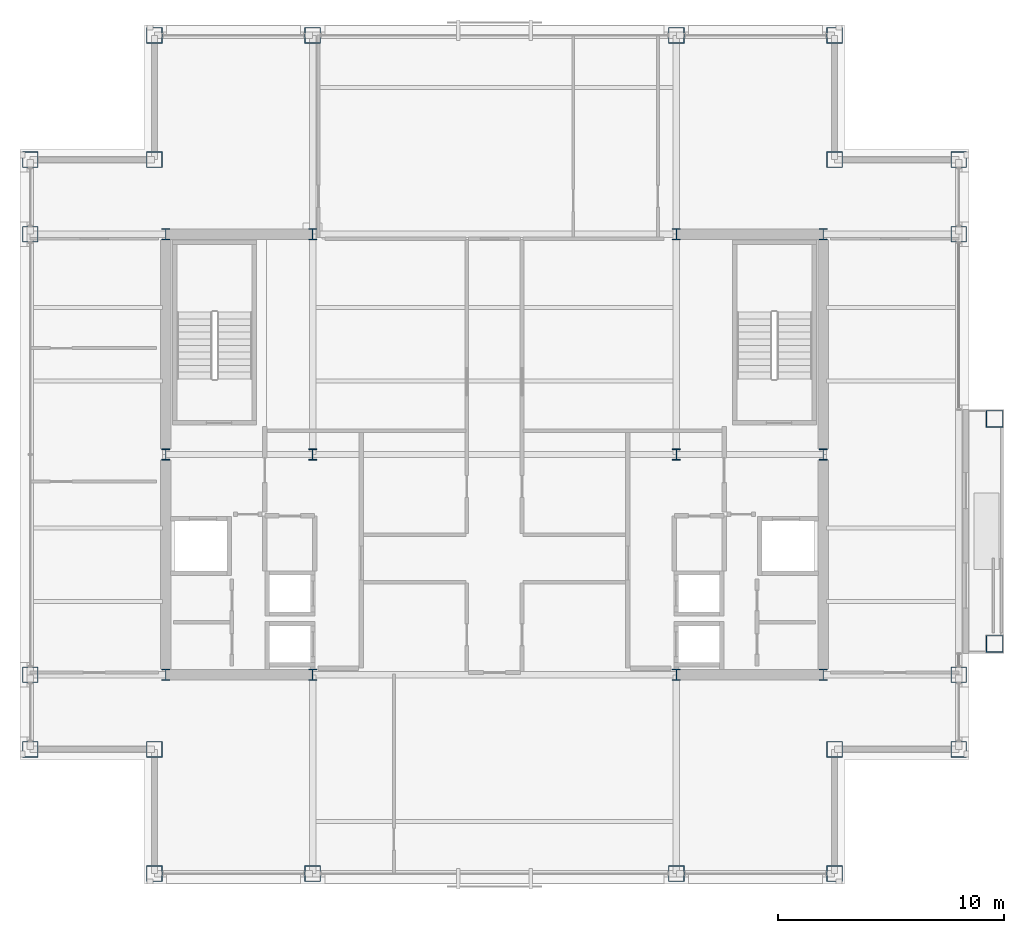
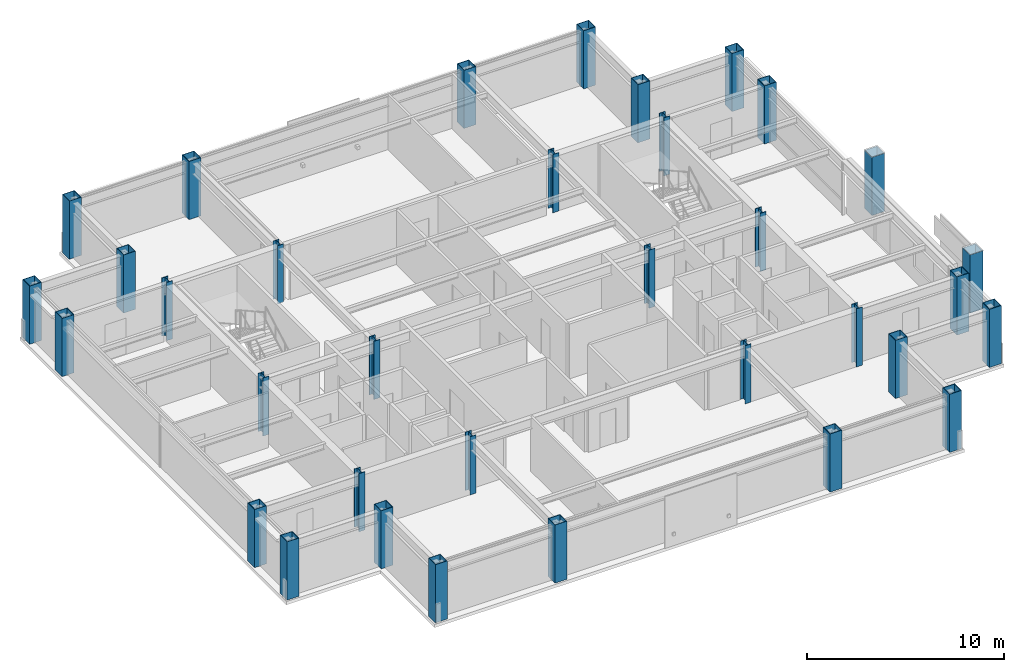
# One storey, part 1 of 30: 34 columns.
"""IFC4 building model written with IfcOpenShell, lengths in metres."""

from ifc_helpers import new_model, si_unit, direction, frame, origin, origin_2d, place, context, subcontext, project, spatial, hollow_rectangle, i_section, extrude, material, material_profile, profile_set, type_object, element, save


model = new_model("IFC4")

# Units and contexts
model_context = context("Model", 3, precision=1e-05, world=origin(), true_north=direction((0.0, 1.0)))
body_context = subcontext(model_context, "Body", "Model", "MODEL_VIEW")
ifc_project = project(units=[si_unit("LENGTHUNIT", "METRE"), si_unit("AREAUNIT", "SQUARE_METRE"), si_unit("VOLUMEUNIT", "CUBIC_METRE"), si_unit("PLANEANGLEUNIT", "RADIAN"), si_unit("MASSUNIT", "GRAM", prefix="KILO")], contexts=[model_context])

# Site, building, storey
site_placement = place(None, origin())
site = spatial("IfcSite", under=ifc_project, at=site_placement, CompositionType="ELEMENT")
building_placement = place(site_placement, origin())
building = spatial("IfcBuilding", under=site, at=building_placement, Name="Brelmoor Portico Tower", CompositionType="ELEMENT")
storey_placement = place(building_placement, frame((0.0, 0.0, 187.5)))
storey = spatial("IfcBuildingStorey", under=building, at=storey_placement, Name="L49", CompositionType="ELEMENT", Elevation=187.5)

# Columns
ifc_material = material(Name="Steel Q355B", Category="steel")
ifc_material_profile_1 = material_profile(ifc_material, hollow_rectangle(XDim=0.699951171875, YDim=0.699951171875, WallThickness=0.030029296875, at=origin_2d()), Name="BOX 700x700x30")
ifc_profile_set_1 = profile_set([ifc_material_profile_1], Name="Steel Q355B")
column_type_1 = type_object("IfcColumnType", Name="COL-MEGA-700", PredefinedType="COLUMN", material=ifc_profile_set_1)
for number, where, z_axis, x_axis, name in (
    (1, (-15.050048828125, -18.550048828125, 0.0), (0.0, 0.0, 1.0), (1.0, 0.0, 0.0), "L49 Perimeter Mega-Column PS01"),
    (2, (-8.050048828125, -18.550048828125, 0.0), (0.0, 0.0, 1.0), (1.0, 0.0, 0.0), "L49 Perimeter Mega-Column PS02"),
    (3, (8.050048828125, -18.550048828125, 0.0), (0.0, 0.0, 1.0), (1.0, 0.0, 0.0), "L49 Perimeter Mega-Column PS03"),
    (4, (15.050048828125, -18.550048828125, 0.0), (0.0, 0.0, 1.0), (1.0, 0.0, 0.0), "L49 Perimeter Mega-Column PS04"),
    (5, (-15.050048828125, 18.550048828125, 0.0), (0.0, 0.0, 1.0), (1.0, 0.0, 0.0), "L49 Perimeter Mega-Column PN01"),
    (6, (-8.050048828125, 18.550048828125, 0.0), (0.0, 0.0, 1.0), (1.0, 0.0, 0.0), "L49 Perimeter Mega-Column PN02"),
    (7, (8.050048828125, 18.550048828125, 0.0), (0.0, 0.0, 1.0), (1.0, 0.0, 0.0), "L49 Perimeter Mega-Column PN03"),
    (8, (15.050048828125, 18.550048828125, 0.0), (0.0, 0.0, 1.0), (1.0, 0.0, 0.0), "L49 Perimeter Mega-Column PN04"),
    (9, (-20.550048828125, -13.050048828125, 0.0), (0.0, 0.0, 1.0), (0.0, 1.0, 0.0), "L49 Perimeter Mega-Column PW01"),
    (10, (-20.550048828125, -9.75, 0.0), (0.0, 0.0, 1.0), (0.0, 1.0, 0.0), "L49 Perimeter Mega-Column PW02"),
    (11, (-20.550048828125, 9.75, 0.0), (0.0, 0.0, 1.0), (0.0, 1.0, 0.0), "L49 Perimeter Mega-Column PW03"),
    (12, (-20.550048828125, 13.050048828125, 0.0), (0.0, 0.0, 1.0), (0.0, 1.0, 0.0), "L49 Perimeter Mega-Column PW04"),
    (13, (20.550048828125, -13.050048828125, 0.0), (0.0, 0.0, 1.0), (0.0, 1.0, 0.0), "L49 Perimeter Mega-Column PE01"),
    (14, (20.550048828125, -9.75, 0.0), (0.0, 0.0, 1.0), (0.0, 1.0, 0.0), "L49 Perimeter Mega-Column PE02"),
    (15, (20.550048828125, 9.75, 0.0), (0.0, 0.0, 1.0), (0.0, 1.0, 0.0), "L49 Perimeter Mega-Column PE03"),
    (16, (20.550048828125, 13.050048828125, 0.0), (0.0, 0.0, 1.0), (0.0, 1.0, 0.0), "L49 Perimeter Mega-Column PE04"),
    (17, (-15.050048828125, 13.050048828125, 0.0), (0.0, 0.0, 1.0), (1.0, 0.0, 0.0), "L49 Perimeter Mega-Column PC-NW"),
    (18, (15.050048828125, 13.050048828125, 0.0), (0.0, 0.0, 1.0), (1.0, 0.0, 0.0), "L49 Perimeter Mega-Column PC-NE"),
    (19, (15.050048828125, -13.050048828125, 0.0), (0.0, 0.0, 1.0), (1.0, 0.0, 0.0), "L49 Perimeter Mega-Column PC-SE"),
    (20, (-15.050048828125, -13.050048828125, 0.0), (0.0, 0.0, 1.0), (1.0, 0.0, 0.0), "L49 Perimeter Mega-Column PC-SW"),
):
    element("IfcColumn", number, at=place(storey_placement, frame(where, z_axis=z_axis, x_axis=x_axis)), inside=storey, type_object=column_type_1, Name=name, PredefinedType="COLUMN", context=body_context, shape_type="SweptSolid", body=[
        extrude(hollow_rectangle(XDim=0.699951171875, YDim=0.699951171875, WallThickness=0.030029296875, at=origin_2d()), origin(), (0.0, 0.0, 1.0), 3.60009765625),
    ])
ifc_material_profile_2 = material_profile(ifc_material, hollow_rectangle(XDim=0.75, YDim=0.75, WallThickness=0.031982421875, at=origin_2d()), Name="BOX 750x750x32")
ifc_profile_set_2 = profile_set([ifc_material_profile_2], Name="Steel Q355B")
column_type_2 = type_object("IfcColumnType", Name="COL-MEGA-750", PredefinedType="COLUMN", material=ifc_profile_set_2)
for number, where, z_axis, x_axis, name in (
    (21, (22.1298828125, -8.3798828125, 0.0), (0.0, 0.0, 1.0), (0.0, 1.0, 0.0), "L49 Proud Picture-Frame Pier PFJ-E1"),
    (22, (22.1298828125, 1.580078125, 0.0), (0.0, 0.0, 1.0), (0.0, 1.0, 0.0), "L49 Proud Picture-Frame Pier PFJ-E2"),
):
    element("IfcColumn", number, at=place(storey_placement, frame(where, z_axis=z_axis, x_axis=x_axis)), inside=storey, type_object=column_type_2, Name=name, PredefinedType="COLUMN", context=body_context, shape_type="SweptSolid", body=[
        extrude(hollow_rectangle(XDim=0.75, YDim=0.75, WallThickness=0.031982421875, at=origin_2d()), origin(), (0.0, 0.0, 1.0), 3.60009765625),
    ])
ifc_material_profile_3 = material_profile(ifc_material, i_section(OverallWidth=0.35009765625, OverallDepth=0.5, WebThickness=0.02001953125, FlangeThickness=0.031982421875, at=origin_2d()), Name="HW 500x350x20x32")
ifc_profile_set_3 = profile_set([ifc_material_profile_3], Name="Steel Q355B")
column_type_3 = type_object("IfcColumnType", Name="COL-SPINE-500", PredefinedType="COLUMN", material=ifc_profile_set_3)
for number, where, z_axis, x_axis, name in (
    (23, (-14.550048828125, -9.75, 0.0), (0.0, 0.0, 1.0), (1.0, 0.0, 0.0), "L49 Core Spine Column CW-SW"),
    (24, (-14.550048828125, 0.0, 0.0), (0.0, 0.0, 1.0), (1.0, 0.0, 0.0), "L49 Core Spine Column CW-MW"),
    (25, (-14.550048828125, 9.75, 0.0), (0.0, 0.0, 1.0), (1.0, 0.0, 0.0), "L49 Core Spine Column CW-NW"),
    (26, (-8.050048828125, -9.75, 0.0), (0.0, 0.0, 1.0), (1.0, 0.0, 0.0), "L49 Core Spine Column CW-SE"),
    (27, (-8.050048828125, 0.0, 0.0), (0.0, 0.0, 1.0), (1.0, 0.0, 0.0), "L49 Core Spine Column CW-ME"),
    (28, (-8.050048828125, 9.75, 0.0), (0.0, 0.0, 1.0), (1.0, 0.0, 0.0), "L49 Core Spine Column CW-NE"),
    (29, (8.050048828125, -9.75, 0.0), (0.0, 0.0, 1.0), (1.0, 0.0, 0.0), "L49 Core Spine Column CE-SW"),
    (30, (8.050048828125, 0.0, 0.0), (0.0, 0.0, 1.0), (1.0, 0.0, 0.0), "L49 Core Spine Column CE-MW"),
    (31, (8.050048828125, 9.75, 0.0), (0.0, 0.0, 1.0), (1.0, 0.0, 0.0), "L49 Core Spine Column CE-NW"),
    (32, (14.550048828125, -9.75, 0.0), (0.0, 0.0, 1.0), (1.0, 0.0, 0.0), "L49 Core Spine Column CE-SE"),
    (33, (14.550048828125, 0.0, 0.0), (0.0, 0.0, 1.0), (1.0, 0.0, 0.0), "L49 Core Spine Column CE-ME"),
    (34, (14.550048828125, 9.75, 0.0), (0.0, 0.0, 1.0), (1.0, 0.0, 0.0), "L49 Core Spine Column CE-NE"),
):
    element("IfcColumn", number, at=place(storey_placement, frame(where, z_axis=z_axis, x_axis=x_axis)), inside=storey, type_object=column_type_3, Name=name, PredefinedType="COLUMN", context=body_context, shape_type="SweptSolid", body=[
        extrude(i_section(OverallWidth=0.35009765625, OverallDepth=0.5, WebThickness=0.02001953125, FlangeThickness=0.031982421875, at=origin_2d()), origin(), (0.0, 0.0, 1.0), 3.60009765625),
    ])

save(model, "model.ifc")
